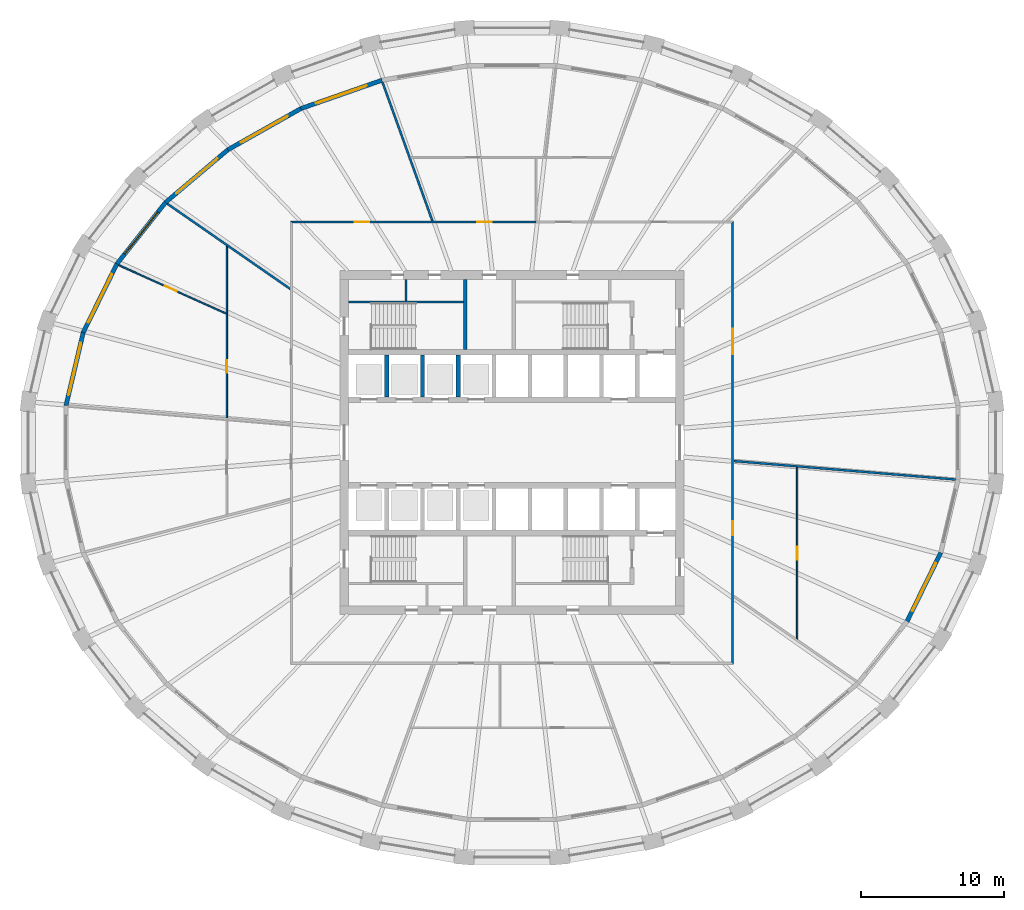
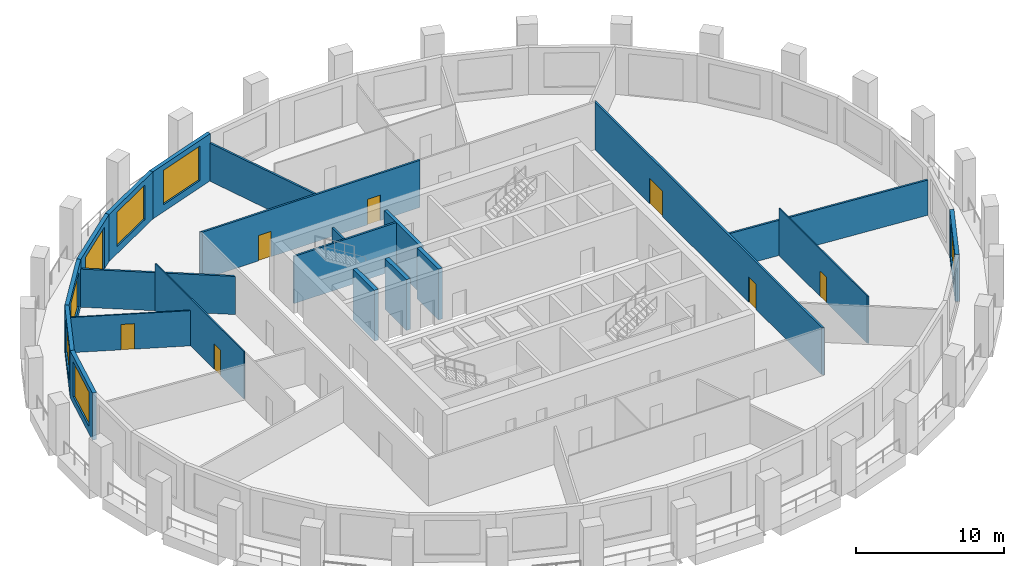
# One storey, part 5 of 10: 21 walls, 8 doors, 6 windows, 14 openings.
"""IFC4 building model written with IfcOpenShell, lengths in metres."""

from ifc_helpers import new_model, si_unit, direction, frame, frame_2d, origin, place, context, subcontext, project, spatial, polyline, rectangle, outline, extrude, material, layer, layer_set, type_object, element, fill, save


model = new_model("IFC4")

# Units and contexts
model_context = context("Model", 3, precision=1e-05, world=origin(), true_north=direction((0.0, 1.0)))
body_context = subcontext(model_context, "Body", "Model", "MODEL_VIEW")
ifc_project = project(units=[si_unit("LENGTHUNIT", "METRE"), si_unit("AREAUNIT", "SQUARE_METRE"), si_unit("VOLUMEUNIT", "CUBIC_METRE"), si_unit("PLANEANGLEUNIT", "RADIAN"), si_unit("MASSUNIT", "GRAM", prefix="KILO")], contexts=[model_context])

# Site, building, storey
site_placement = place(None, origin())
site = spatial("IfcSite", under=ifc_project, at=site_placement, CompositionType="ELEMENT")
building_placement = place(site_placement, origin())
building = spatial("IfcBuilding", under=site, at=building_placement, Name="Halqa Exchange Tower", CompositionType="ELEMENT")
storey_placement = place(building_placement, frame((0.0, 0.0, 154.89990234375)))
storey = spatial("IfcBuildingStorey", under=building, at=storey_placement, Name="L35", CompositionType="ELEMENT", Elevation=154.89990234375)

# Wall
ifc_material_1 = material(Name="Fire-rated gypsum board")
ifc_layer_1 = layer(ifc_material_1, 0.14990234375)
ifc_layer_set_1 = layer_set([ifc_layer_1], Name="Fire-rated gypsum board")
wall_type_1 = type_object("IfcWallType", Name="Fire partition EI 60 150", PredefinedType="PARTITIONING", material=ifc_layer_set_1)
wall_1_placement = place(storey_placement, frame((-24.059326171875, 16.673095703125, 0.0), z_axis=(0.0, 0.0, 1.0), x_axis=(0.821818585553, -0.569749254006, 0.0)))
element("IfcWall", 1, at=wall_1_placement, inside=storey, type_object=wall_type_1, Name="L35-PWL-003", PredefinedType="PARTITIONING", context=body_context, shape_type="SweptSolid", body=[
    extrude(outline(polyline([(0.0, -0.074951171875), (1.723876953125, -0.074951171875), (3.44775390625, -0.074951171875), (5.171630859375, -0.074951171875), (5.173095703125, -0.07373046875), (5.173828125, -0.074951171875), (6.9482421875, -0.074951171875), (8.72265625, -0.074951171875), (10.4970703125, -0.074951171875), (10.4970703125, -0.074462890625), (10.3935546875, 0.074951171875), (8.66552734375, 0.074951171875), (6.9375, 0.074951171875), (5.20947265625, 0.074951171875), (3.4814453125, 0.074951171875), (1.75341796875, 0.074951171875), (0.025146484375, 0.074951171875), (0.00439453125, -0.002197265625), (0.0, -0.071533203125), (0.0, -0.074951171875)])), origin(), (0.0, 0.0, 1.0), 3.147216796875),
])

# Wall, openings, doors
wall_2_placement = place(storey_placement, frame((-15.47509765625, 15.39990234375, 0.0), z_axis=(0.0, 0.0, 1.0), x_axis=(1.0, 0.0, 0.0)))
wall_2 = element("IfcWall", 2, at=wall_2_placement, inside=storey, type_object=wall_type_1, Name="L35-PWL-009", PredefinedType="PARTITIONING", context=body_context, shape_type="SweptSolid", body=[
    extrude(outline(polyline([(17.155029296875, 0.074951171875), (15.2490234375, 0.074951171875), (13.3427734375, 0.074951171875), (11.436767578125, 0.074951171875), (9.53076171875, 0.074951171875), (7.62451171875, 0.074951171875), (5.718505859375, 0.074951171875), (3.8125, 0.074951171875), (1.90625, 0.074951171875), (0.000244140625, 0.074951171875), (0.150146484375, -0.074951171875), (2.03955078125, -0.074951171875), (3.928955078125, -0.074951171875), (5.818359375, -0.074951171875), (7.707763671875, -0.074951171875), (9.597412109375, -0.074951171875), (11.48681640625, -0.074951171875), (13.376220703125, -0.074951171875), (15.265625, -0.074951171875), (17.155029296875, -0.074951171875), (17.155029296875, 0.074951171875)])), origin(), (0.0, 0.0, 1.0), 3.900146484375),
])
opening_1_placement = place(wall_2_placement, frame((13.050048828125, 0.0, 0.0)))
opening_1 = element("IfcOpeningElement", 3, at=opening_1_placement, cuts=wall_2, Name="Opening 11-02", PredefinedType="OPENING", context=body_context, shape_type="SweptSolid", body=[
    extrude(rectangle(XDim=1.0, YDim=2.10009765625, at=frame_2d((0.5, 1.050048828125))), frame((0.0, 0.0869140625, 0.0), z_axis=(0.0, -1.0, 0.0), x_axis=(1.0, 0.0, 0.0)), (0.0, 0.0, 1.0), 0.173828125),
])
opening_2_placement = place(wall_2_placement, frame((4.510009765625, 0.0, 0.0)))
opening_2 = element("IfcOpeningElement", 4, at=opening_2_placement, cuts=wall_2, Name="Opening 11-03", PredefinedType="OPENING", context=body_context, shape_type="SweptSolid", body=[
    extrude(rectangle(XDim=1.0, YDim=2.10009765625, at=frame_2d((0.5, 1.050048828125))), frame((0.0, 0.0869140625, 0.0), z_axis=(0.0, -1.0, 0.0), x_axis=(1.0, 0.0, 0.0)), (0.0, 0.0, 1.0), 0.173828125),
])
ifc_material_2 = material(Name="Steel fire door leaf", Category="steel")
door_type_1 = type_object("IfcDoorType", Name="Fire door FD30S 1000 x 2100", OperationType="SINGLE_SWING_LEFT", PredefinedType="DOOR", material=ifc_material_2)
door_1_placement = place(opening_1_placement, origin())
door_1 = element("IfcDoor", 5, at=door_1_placement, inside=storey, type_object=door_type_1, Name="L35-IDR-002", OperationType="SINGLE_SWING_LEFT", OverallHeight=2.10009765625, OverallWidth=1.0, PredefinedType="DOOR", context=body_context, shape_type="SweptSolid", body=[
    extrude(rectangle(XDim=1.0, YDim=2.10009765625, at=frame_2d((0.5, 1.050048828125))), frame((0.0, 0.02490234375, 0.0), z_axis=(0.0, -1.0, 0.0), x_axis=(1.0, 0.0, 0.0)), (0.0, 0.0, 1.0), 0.050048828125),
])
fill(opening_1, door_1)
door_2_placement = place(opening_2_placement, origin())
door_2 = element("IfcDoor", 6, at=door_2_placement, inside=storey, type_object=door_type_1, Name="L35-IDR-003", OperationType="SINGLE_SWING_LEFT", OverallHeight=2.10009765625, OverallWidth=1.0, PredefinedType="DOOR", context=body_context, shape_type="SweptSolid", body=[
    extrude(rectangle(XDim=1.0, YDim=2.10009765625, at=frame_2d((0.5, 1.050048828125))), frame((0.0, 0.02490234375, 0.0), z_axis=(0.0, -1.0, 0.0), x_axis=(1.0, 0.0, 0.0)), (0.0, 0.0, 1.0), 0.050048828125),
])
fill(opening_2, door_2)

# Wall
wall_3_placement = place(storey_placement, frame((-9.036865234375, 25.143310546875, 0.0), z_axis=(0.0, 0.0, 1.0), x_axis=(0.338668278724, -0.940905838533, 0.0)))
element("IfcWall", 7, at=wall_3_placement, inside=storey, type_object=wall_type_1, Name="L35-PWL-011", PredefinedType="PARTITIONING", context=body_context, shape_type="SweptSolid", body=[
    extrude(outline(polyline([(0.0, -0.074951171875), (1.7080078125, -0.074951171875), (3.416259765625, -0.074951171875), (5.124267578125, -0.074951171875), (6.832275390625, -0.074951171875), (8.54052734375, -0.074951171875), (10.24853515625, -0.074951171875), (10.30029296875, 0.068603515625), (10.30029296875, 0.068603515625), (10.30224609375, 0.07421875), (10.30224609375, 0.074951171875), (8.75244140625, 0.074951171875), (7.20263671875, 0.074951171875), (5.65283203125, 0.074951171875), (5.652587890625, 0.074462890625), (5.651123046875, 0.074951171875), (3.77197265625, 0.074951171875), (1.892822265625, 0.074951171875), (0.013671875, 0.074951171875), (0.00048828125, 0.0029296875), (0.0, -0.054443359375), (0.0, -0.074951171875)])), origin(), (0.0, 0.0, 1.0), 3.147216796875),
])

# Wall, openings, doors
wall_4_placement = place(storey_placement, frame((15.39990234375, -15.47509765625, 0.0), z_axis=(0.0, 0.0, 1.0), x_axis=(0.0, 1.0, 0.0)))
wall_4 = element("IfcWall", 8, at=wall_4_placement, inside=storey, type_object=wall_type_1, Name="L35-PWL-022", PredefinedType="PARTITIONING", context=body_context, shape_type="SweptSolid", body=[
    extrude(outline(polyline([(0.000244140625, -0.074951171875), (1.9345703125, -0.074951171875), (3.868896484375, -0.074951171875), (5.80322265625, -0.074951171875), (7.73779296875, -0.074951171875), (9.672119140625, -0.074951171875), (11.6064453125, -0.074951171875), (13.540771484375, -0.074951171875), (15.47509765625, -0.074951171875), (17.409423828125, -0.074951171875), (19.34375, -0.074951171875), (21.278076171875, -0.074951171875), (23.21240234375, -0.074951171875), (25.14697265625, -0.074951171875), (27.081298828125, -0.074951171875), (29.015625, -0.074951171875), (30.949951171875, -0.074951171875), (30.800048828125, 0.074951171875), (28.884521484375, 0.074951171875), (26.96875, 0.074951171875), (25.05322265625, 0.074951171875), (23.1376953125, 0.074951171875), (21.221923828125, 0.074951171875), (19.306396484375, 0.074951171875), (17.390625, 0.074951171875), (15.47509765625, 0.074951171875), (13.5595703125, 0.074951171875), (11.643798828125, 0.074951171875), (9.728271484375, 0.074951171875), (7.8125, 0.074951171875), (5.89697265625, 0.074951171875), (3.9814453125, 0.074951171875), (2.065673828125, 0.074951171875), (0.150146484375, 0.074951171875), (0.000244140625, -0.074951171875)])), origin(), (0.0, 0.0, 1.0), 3.900146484375),
])
opening_3_placement = place(wall_4_placement, frame((9.0, 0.0, 0.0)))
opening_3 = element("IfcOpeningElement", 9, at=opening_3_placement, cuts=wall_4, Name="Opening 11-10", PredefinedType="OPENING", context=body_context, shape_type="SweptSolid", body=[
    extrude(rectangle(XDim=1.0, YDim=2.10009765625, at=frame_2d((0.5, 1.050048828125))), frame((0.0, 0.0869140625, 0.0), z_axis=(0.0, -1.0, 0.0), x_axis=(1.0, 0.0, 0.0)), (0.0, 0.0, 1.0), 0.173828125),
])
opening_4_placement = place(wall_4_placement, frame((21.635009765625, 0.0, 0.0)))
opening_4 = element("IfcOpeningElement", 10, at=opening_4_placement, cuts=wall_4, Name="Opening 11-11", PredefinedType="OPENING", context=body_context, shape_type="SweptSolid", body=[
    extrude(rectangle(XDim=1.800048828125, YDim=2.10009765625, at=frame_2d((0.89990234375, 1.050048828125))), frame((0.0, 0.0869140625, 0.0), z_axis=(0.0, -1.0, 0.0), x_axis=(1.0, 0.0, 0.0)), (0.0, 0.0, 1.0), 0.173828125),
])
door_3_placement = place(opening_3_placement, frame((1.0, 0.0, 0.0), z_axis=(0.0, 0.0, 1.0), x_axis=(-1.0, 0.0, 0.0)))
door_3 = element("IfcDoor", 11, at=door_3_placement, inside=storey, type_object=door_type_1, Name="L35-IDR-010", OperationType="SINGLE_SWING_LEFT", OverallHeight=2.10009765625, OverallWidth=1.0, PredefinedType="DOOR", context=body_context, shape_type="SweptSolid", body=[
    extrude(rectangle(XDim=1.0, YDim=2.10009765625, at=frame_2d((0.5, 1.050048828125))), frame((0.0, 0.02490234375, 0.0), z_axis=(0.0, -1.0, 0.0), x_axis=(1.0, 0.0, 0.0)), (0.0, 0.0, 1.0), 0.050048828125),
])
fill(opening_3, door_3)
door_type_2 = type_object("IfcDoorType", Name="Fire door FD30S double 1800 x 2100", OperationType="DOUBLE_DOOR_SINGLE_SWING", PredefinedType="DOOR", material=ifc_material_2)
door_4_placement = place(opening_4_placement, frame((1.800048828125, 0.0, 0.0), z_axis=(0.0, 0.0, 1.0), x_axis=(-1.0, 0.0, 0.0)))
door_4 = element("IfcDoor", 12, at=door_4_placement, inside=storey, type_object=door_type_2, Name="L35-IDR-011", OperationType="DOUBLE_DOOR_SINGLE_SWING", OverallHeight=2.10009765625, OverallWidth=1.800048828125, PredefinedType="DOOR", context=body_context, shape_type="SweptSolid", body=[
    extrude(rectangle(XDim=1.800048828125, YDim=2.10009765625, at=frame_2d((0.89990234375, 1.050048828125))), frame((0.0, 0.02490234375, 0.0), z_axis=(0.0, -1.0, 0.0), x_axis=(1.0, 0.0, 0.0)), (0.0, 0.0, 1.0), 0.050048828125),
])
fill(opening_4, door_4)

# Wall
wall_5_placement = place(storey_placement, frame((15.46923828125, -1.285888671875, 0.0), z_axis=(0.0, 0.0, 1.0), x_axis=(0.996560145348, -0.082872653534, 0.0)))
element("IfcWall", 13, at=wall_5_placement, inside=storey, type_object=wall_type_1, Name="L35-PWL-024", PredefinedType="PARTITIONING", context=body_context, shape_type="SweptSolid", body=[
    extrude(outline(polyline([(0.011962890625, -0.074951171875), (1.50390625, -0.074951171875), (2.995849609375, -0.074951171875), (4.48779296875, -0.074951171875), (4.50244140625, -0.07373046875), (4.50244140625, -0.074951171875), (6.3427734375, -0.074951171875), (8.18310546875, -0.074951171875), (10.0234375, -0.074951171875), (11.86376953125, -0.074951171875), (13.7041015625, -0.074951171875), (15.54443359375, -0.074951171875), (15.548828125, -0.045166015625), (15.548828125, 0.074951171875), (13.605224609375, 0.074951171875), (11.66162109375, 0.074951171875), (9.718017578125, 0.074951171875), (7.7744140625, 0.074951171875), (5.830810546875, 0.074951171875), (3.88720703125, 0.074951171875), (1.943603515625, 0.074951171875), (0.0, 0.074951171875), (0.0, 0.069580078125), (0.011962890625, -0.074951171875)])), origin(), (0.0, 0.0, 1.0), 2.91015625),
])

# Wall, opening, door
ifc_material_3 = material(Name="Gypsum board")
ifc_layer_2 = layer(ifc_material_3, 0.10009765625)
ifc_layer_set_2 = layer_set([ifc_layer_2], Name="Gypsum board")
wall_type_2 = type_object("IfcWallType", Name="Partition 100 gypsum", PredefinedType="PARTITIONING", material=ifc_layer_set_2)
wall_6_placement = place(storey_placement, frame((-19.89990234375, 1.7255859375, 0.0), z_axis=(0.0, 0.0, 1.0), x_axis=(0.0, 1.0, 0.0)))
wall_6 = element("IfcWall", 14, at=wall_6_placement, inside=storey, type_object=wall_type_2, Name="L35-PWL-005", PredefinedType="PARTITIONING", context=body_context, shape_type="SweptSolid", body=[
    extrude(outline(polyline([(0.0, -0.050048828125), (1.98974609375, -0.050048828125), (3.979248046875, -0.050048828125), (5.968994140625, -0.050048828125), (7.958740234375, -0.050048828125), (9.948486328125, -0.050048828125), (11.93798828125, -0.050048828125), (12.0068359375, 0.04931640625), (12.0068359375, 0.050048828125), (10.448486328125, 0.050048828125), (8.89013671875, 0.050048828125), (7.331787109375, 0.050048828125), (7.330810546875, 0.0478515625), (7.325927734375, 0.050048828125), (5.49658203125, 0.050048828125), (3.6669921875, 0.050048828125), (1.837646484375, 0.050048828125), (0.008056640625, 0.050048828125), (0.0, -0.046875), (0.0, -0.050048828125)])), origin(), (0.0, 0.0, 1.0), 3.900146484375),
])
opening_5_placement = place(wall_6_placement, frame((3.139404296875, 0.0, 0.0)))
opening_5 = element("IfcOpeningElement", 15, at=opening_5_placement, cuts=wall_6, Name="Opening 11-15", PredefinedType="OPENING", context=body_context, shape_type="SweptSolid", body=[
    extrude(rectangle(XDim=0.89990234375, YDim=2.10009765625, at=frame_2d((0.449951171875, 1.050048828125))), frame((0.0, 0.06201171875, 0.0), z_axis=(0.0, -1.0, 0.0), x_axis=(1.0, 0.0, 0.0)), (0.0, 0.0, 1.0), 0.1240234375),
])
ifc_material_4 = material(Name="Timber door leaf", Category="wood")
door_type_3 = type_object("IfcDoorType", Name="Door 900 x 2100", OperationType="SINGLE_SWING_LEFT", PredefinedType="DOOR", material=ifc_material_4)
door_5_placement = place(opening_5_placement, frame((0.89990234375, 0.0, 0.0), z_axis=(0.0, 0.0, 1.0), x_axis=(-1.0, 0.0, 0.0)))
door_5 = element("IfcDoor", 16, at=door_5_placement, inside=storey, type_object=door_type_3, Name="L35-IDR-015", OperationType="SINGLE_SWING_LEFT", OverallHeight=2.10009765625, OverallWidth=0.89990234375, PredefinedType="DOOR", context=body_context, shape_type="SweptSolid", body=[
    extrude(rectangle(XDim=0.89990234375, YDim=2.10009765625, at=frame_2d((0.449951171875, 1.050048828125))), frame((0.0, 0.02490234375, 0.0), z_axis=(0.0, -1.0, 0.0), x_axis=(1.0, 0.0, 0.0)), (0.0, 0.0, 1.0), 0.050048828125),
])
fill(opening_5, door_5)

wall_7_placement = place(storey_placement, frame((-19.9296875, 8.993408203125, 0.0), z_axis=(0.0, 0.0, 1.0), x_axis=(-0.911442933079, 0.411426518033, 0.0)))
wall_7 = element("IfcWall", 17, at=wall_7_placement, inside=storey, type_object=wall_type_2, Name="L35-PWL-006", PredefinedType="PARTITIONING", context=body_context, shape_type="SweptSolid", body=[
    extrude(outline(polyline([(0.044921875, -0.050048828125), (1.682861328125, -0.050048828125), (3.320556640625, -0.050048828125), (4.95849609375, -0.050048828125), (6.596435546875, -0.050048828125), (8.234130859375, -0.050048828125), (8.246826171875, 0.00048828125), (8.248291015625, 0.045654296875), (8.248291015625, 0.050048828125), (6.5986328125, 0.050048828125), (4.948974609375, 0.050048828125), (3.29931640625, 0.050048828125), (1.649658203125, 0.050048828125), (0.0, 0.050048828125), (0.0, 0.04931640625), (0.044921875, -0.050048828125)])), origin(), (0.0, 0.0, 1.0), 2.91015625),
])
opening_6_placement = place(wall_7_placement, frame((3.807373046875, 0.0, 0.0)))
opening_6 = element("IfcOpeningElement", 18, at=opening_6_placement, cuts=wall_7, Name="Opening 11-16", PredefinedType="OPENING", context=body_context, shape_type="SweptSolid", body=[
    extrude(rectangle(XDim=0.89990234375, YDim=2.10009765625, at=frame_2d((0.449951171875, 1.050048828125))), frame((0.0, 0.06201171875, 0.0), z_axis=(0.0, -1.0, 0.0), x_axis=(1.0, 0.0, 0.0)), (0.0, 0.0, 1.0), 0.1240234375),
])
door_6_placement = place(opening_6_placement, frame((0.89990234375, 0.0, 0.0), z_axis=(0.0, 0.0, 1.0), x_axis=(-1.0, 0.0, 0.0)))
door_6 = element("IfcDoor", 19, at=door_6_placement, inside=storey, type_object=door_type_3, Name="L35-IDR-016", OperationType="SINGLE_SWING_RIGHT", OverallHeight=2.10009765625, OverallWidth=0.89990234375, PredefinedType="DOOR", context=body_context, shape_type="SweptSolid", body=[
    extrude(rectangle(XDim=0.89990234375, YDim=2.10009765625, at=frame_2d((0.449951171875, 1.050048828125))), frame((0.0, 0.02490234375, 0.0), z_axis=(0.0, -1.0, 0.0), x_axis=(1.0, 0.0, 0.0)), (0.0, 0.0, 1.0), 0.050048828125),
])
fill(opening_6, door_6)

wall_8_placement = place(storey_placement, frame((19.89990234375, -1.7255859375, 0.0), z_axis=(0.0, 0.0, 1.0), x_axis=(0.0, -1.0, 0.0)))
wall_8 = element("IfcWall", 20, at=wall_8_placement, inside=storey, type_object=wall_type_2, Name="L35-PWL-025", PredefinedType="PARTITIONING", context=body_context, shape_type="SweptSolid", body=[
    extrude(outline(polyline([(0.0, -0.050048828125), (1.98974609375, -0.050048828125), (3.979248046875, -0.050048828125), (5.968994140625, -0.050048828125), (7.958740234375, -0.050048828125), (9.948486328125, -0.050048828125), (11.93798828125, -0.050048828125), (12.0068359375, 0.04931640625), (12.0068359375, 0.050048828125), (10.007080078125, 0.050048828125), (8.00732421875, 0.050048828125), (6.00732421875, 0.050048828125), (4.007568359375, 0.050048828125), (2.0078125, 0.050048828125), (0.008056640625, 0.050048828125), (0.0, -0.046875), (0.0, -0.050048828125)])), origin(), (0.0, 0.0, 1.0), 3.900146484375),
])
opening_7_placement = place(wall_8_placement, frame((5.54443359375, 0.0, 0.0)))
opening_7 = element("IfcOpeningElement", 21, at=opening_7_placement, cuts=wall_8, Name="Opening 11-19", PredefinedType="OPENING", context=body_context, shape_type="SweptSolid", body=[
    extrude(rectangle(XDim=0.89990234375, YDim=2.10009765625, at=frame_2d((0.449951171875, 1.050048828125))), frame((0.0, 0.06201171875, 0.0), z_axis=(0.0, -1.0, 0.0), x_axis=(1.0, 0.0, 0.0)), (0.0, 0.0, 1.0), 0.1240234375),
])
door_7_placement = place(opening_7_placement, frame((0.89990234375, 0.0, 0.0), z_axis=(0.0, 0.0, 1.0), x_axis=(-1.0, 0.0, 0.0)))
door_7 = element("IfcDoor", 22, at=door_7_placement, inside=storey, type_object=door_type_3, Name="L35-IDR-019", OperationType="SINGLE_SWING_LEFT", OverallHeight=2.10009765625, OverallWidth=0.89990234375, PredefinedType="DOOR", context=body_context, shape_type="SweptSolid", body=[
    extrude(rectangle(XDim=0.89990234375, YDim=2.10009765625, at=frame_2d((0.449951171875, 1.050048828125))), frame((0.0, 0.02490234375, 0.0), z_axis=(0.0, -1.0, 0.0), x_axis=(1.0, 0.0, 0.0)), (0.0, 0.0, 1.0), 0.050048828125),
])
fill(opening_7, door_7)

# Walls
ifc_layer_3 = layer(ifc_material_3, 0.14990234375)
ifc_layer_set_3 = layer_set([ifc_layer_3], Name="Gypsum board")
wall_type_3 = type_object("IfcWallType", Name="Penthouse riser wall 150 gypsum", PredefinedType="PARTITIONING", material=ifc_layer_set_3)
wall_9_placement = place(storey_placement, frame((-7.39990234375, 9.89990234375, 0.0), z_axis=(0.0, 0.0, 1.0), x_axis=(0.0, 1.0, 0.0)))
element("IfcWall", 23, at=wall_9_placement, inside=storey, type_object=wall_type_3, Name="Partition W7.400 N", PredefinedType="PARTITIONING", context=body_context, shape_type="SweptSolid", body=[
    extrude(rectangle(XDim=1.5, YDim=0.14990234375, at=frame_2d((0.75, 0.0))), origin(), (0.0, 0.0, 1.0), 3.900146484375),
])
ifc_material_5 = material(Name="Concrete C60/75", Category="concrete")
ifc_layer_4 = layer(ifc_material_5, 0.300048828125)
ifc_layer_set_4 = layer_set([ifc_layer_4], Name="Concrete C60/75")
wall_type_4 = type_object("IfcWallType", Name="RC core wall 300", PredefinedType="SHEAR", material=ifc_layer_set_4)
for number, where, z_axis, x_axis, name in (
    (24, (-8.75, 3.199951171875, 0.0), (0.0, 0.0, 1.0), (0.0, 1.0, 0.0), "Shaft divider N1"),
    (25, (-6.25, 3.199951171875, 0.0), (0.0, 0.0, 1.0), (0.0, 1.0, 0.0), "Shaft divider N2"),
    (26, (-3.75, 3.199951171875, 0.0), (0.0, 0.0, 1.0), (0.0, 1.0, 0.0), "Shaft divider N3"),
):
    element("IfcWall", number, at=place(storey_placement, frame(where, z_axis=z_axis, x_axis=x_axis)), inside=storey, type_object=wall_type_4, Name=name, PredefinedType="SHEAR", context=body_context, shape_type="SweptSolid", body=[
        extrude(rectangle(XDim=2.900146484375, YDim=0.300048828125, at=frame_2d((1.4501953125, 0.0))), origin(), (0.0, 0.0, 1.0), 4.2001953125),
    ])
ifc_material_6 = material(Name="Concrete C30/37", Category="concrete")
ifc_layer_5 = layer(ifc_material_6, 0.14990234375)
ifc_layer_set_5 = layer_set([ifc_layer_5], Name="Concrete C30/37")
wall_type_5 = type_object("IfcWallType", Name="RC stair wall 150 C30/37", PredefinedType="SHEAR", material=ifc_layer_set_5)
wall_10_placement = place(storey_placement, frame((-11.39990234375, 9.824951171875, 0.0), z_axis=(0.0, 0.0, 1.0), x_axis=(1.0, 0.0, 0.0)))
element("IfcWall", 27, at=wall_10_placement, inside=storey, type_object=wall_type_5, Name="Stair ST1 north wall N", PredefinedType="SHEAR", context=body_context, shape_type="SweptSolid", body=[
    extrude(rectangle(XDim=8.0, YDim=0.14990234375, at=frame_2d((4.0, 0.0))), origin(), (0.0, 0.0, 1.0), 3.900146484375),
])
ifc_layer_6 = layer(ifc_material_6, 0.25)
ifc_layer_set_6 = layer_set([ifc_layer_6], Name="Concrete C30/37")
wall_type_6 = type_object("IfcWallType", Name="RC stair wall 250 C30/37", PredefinedType="SHEAR", material=ifc_layer_set_6)
wall_11_placement = place(storey_placement, frame((-3.27490234375, 6.5, 0.0), z_axis=(0.0, 0.0, 1.0), x_axis=(0.0, 1.0, 0.0)))
element("IfcWall", 28, at=wall_11_placement, inside=storey, type_object=wall_type_6, Name="Stair ST1 east wall N", PredefinedType="SHEAR", context=body_context, shape_type="SweptSolid", body=[
    extrude(rectangle(XDim=4.89990234375, YDim=0.25, at=frame_2d((2.449951171875, 0.0))), origin(), (0.0, 0.0, 1.0), 3.900146484375),
])

# Wall, opening, window
ifc_material_7 = material(Name="Limestone cladding", Category="masonry")
ifc_layer_7 = layer(ifc_material_7, 0.0400390625)
ifc_material_8 = material(Name="Ventilated cavity")
ifc_layer_8 = layer(ifc_material_8, 0.030029296875, ventilated=True)
ifc_material_9 = material(Name="Mineral wool insulation")
ifc_layer_9 = layer(ifc_material_9, 0.10009765625)
ifc_layer_10 = layer(ifc_material_6, 0.10009765625)
ifc_material_10 = material(Name="Internal plaster")
ifc_layer_11 = layer(ifc_material_10, 0.030029296875)
ifc_layer_set_7 = layer_set([ifc_layer_7, ifc_layer_8, ifc_layer_9, ifc_layer_10, ifc_layer_11], Name="Stone-faced insulated wall 300")
wall_type_7 = type_object("IfcWallType", Name="Stone-faced insulated wall 300", PredefinedType="STANDARD", material=ifc_layer_set_7)
wall_12_placement = place(storey_placement, frame((-9.0712890625, 25.28955078125, 0.0), z_axis=(0.0, 0.0, 1.0), x_axis=(-0.943944636678, -0.330103806228, 0.0)))
wall_12 = element("IfcWall", 29, at=wall_12_placement, inside=storey, type_object=wall_type_7, Name="Glass-line wall 10", PredefinedType="STANDARD", context=body_context, shape_type="SweptSolid", body=[
    extrude(outline(polyline([(-0.0126953125, -0.14990234375), (6.0107421875, -0.14990234375), (5.98388671875, 0.14990234375), (0.0126953125, 0.14990234375), (-0.0126953125, -0.14990234375)])), origin(), (0.0, 0.0, 1.0), 3.900146484375),
])
opening_8_placement = place(wall_12_placement, frame((1.12353515625, 0.0, 0.60009765625)))
opening_8 = element("IfcOpeningElement", 30, at=opening_8_placement, cuts=wall_12, Name="Opening W-F2-10", PredefinedType="OPENING", context=body_context, shape_type="SweptSolid", body=[
    extrude(rectangle(XDim=3.75, YDim=2.85009765625, at=frame_2d((1.875, 1.425048828125))), frame((0.0, 0.162109375, 0.0), z_axis=(0.0, -1.0, 0.0), x_axis=(1.0, 0.0, 0.0)), (0.0, 0.0, 1.0), 0.323974609375),
])
ifc_material_11 = material(Name="Clear low-emissivity glass in aluminium frame", Category="aluminium")
window_type = type_object("IfcWindowType", Name="Fixed clear glazed window 3750 x 2850", PartitioningType="TRIPLE_PANEL_VERTICAL", PredefinedType="WINDOW", material=ifc_material_11)
window_1_placement = place(opening_8_placement, origin())
window_1 = element("IfcWindow", 31, at=window_1_placement, inside=storey, type_object=window_type, Name="Window 2", OverallHeight=2.85009765625, OverallWidth=3.75, PartitioningType="TRIPLE_PANEL_VERTICAL", PredefinedType="WINDOW", context=body_context, shape_type="SweptSolid", body=[
    extrude(rectangle(XDim=3.75, YDim=2.85009765625, at=frame_2d((1.875, 1.425048828125))), frame((0.0, 0.030029296875, 0.0), z_axis=(0.0, -1.0, 0.0), x_axis=(1.0, 0.0, 0.0)), (0.0, 0.0, 1.0), 0.06005859375),
])
fill(opening_8, window_1)

wall_13_placement = place(storey_placement, frame((-14.732421875, 23.309814453125, 0.0), z_axis=(0.0, 0.0, 1.0), x_axis=(-0.870982130072, -0.491314694565, 0.0)))
wall_13 = element("IfcWall", 32, at=wall_13_placement, inside=storey, type_object=wall_type_7, Name="Glass-line wall 11", PredefinedType="STANDARD", context=body_context, shape_type="SweptSolid", body=[
    extrude(outline(polyline([(-0.013427734375, -0.14990234375), (5.86572265625, -0.14990234375), (5.83740234375, 0.14990234375), (0.013427734375, 0.14990234375), (-0.013427734375, -0.14990234375)])), origin(), (0.0, 0.0, 1.0), 3.900146484375),
])
opening_9_placement = place(wall_13_placement, frame((1.05078125, 0.0, 0.60009765625)))
opening_9 = element("IfcOpeningElement", 33, at=opening_9_placement, cuts=wall_13, Name="Opening W-F2-11", PredefinedType="OPENING", context=body_context, shape_type="SweptSolid", body=[
    extrude(rectangle(XDim=3.75, YDim=2.85009765625, at=frame_2d((1.875, 1.425048828125))), frame((0.0, 0.162109375, 0.0), z_axis=(0.0, -1.0, 0.0), x_axis=(1.0, 0.0, 0.0)), (0.0, 0.0, 1.0), 0.323974609375),
])
window_2_placement = place(opening_9_placement, origin())
window_2 = element("IfcWindow", 34, at=window_2_placement, inside=storey, type_object=window_type, Name="Window 2", OverallHeight=2.85009765625, OverallWidth=3.75, PartitioningType="TRIPLE_PANEL_VERTICAL", PredefinedType="WINDOW", context=body_context, shape_type="SweptSolid", body=[
    extrude(rectangle(XDim=3.75, YDim=2.85009765625, at=frame_2d((1.875, 1.425048828125))), frame((0.0, 0.030029296875, 0.0), z_axis=(0.0, -1.0, 0.0), x_axis=(1.0, 0.0, 0.0)), (0.0, 0.0, 1.0), 0.06005859375),
])
fill(opening_9, window_2)

# Wall, opening, door
wall_14_placement = place(storey_placement, frame((-19.8291015625, 20.434814453125, 0.0), z_axis=(0.0, 0.0, 1.0), x_axis=(-0.764076096085, -0.645126126732, 0.0)))
wall_14 = element("IfcWall", 35, at=wall_14_placement, inside=storey, type_object=wall_type_7, Name="Glass-line wall 12", PredefinedType="STANDARD", context=body_context, shape_type="SweptSolid", body=[
    extrude(outline(polyline([(-0.01416015625, -0.14990234375), (5.690185546875, -0.14990234375), (5.659912109375, 0.14990234375), (0.01416015625, 0.14990234375), (-0.01416015625, -0.14990234375)])), origin(), (0.0, 0.0, 1.0), 3.900146484375),
])
opening_10_placement = place(wall_14_placement, frame((0.96240234375, 0.0, 0.0)))
opening_10 = element("IfcOpeningElement", 36, at=opening_10_placement, cuts=wall_14, Name="Opening LG-F2-03", PredefinedType="OPENING", context=body_context, shape_type="SweptSolid", body=[
    extrude(rectangle(XDim=3.75, YDim=3.449951171875, at=frame_2d((1.875, 1.72509765625))), frame((0.0, 0.162109375, 0.0), z_axis=(0.0, -1.0, 0.0), x_axis=(1.0, 0.0, 0.0)), (0.0, 0.0, 1.0), 0.323974609375),
])
door_type_4 = type_object("IfcDoorType", Name="Glazed sliding loggia door 3750 x 3450", OperationType="DOUBLE_DOOR_SLIDING", PredefinedType="DOOR", material=ifc_material_11)
door_8_placement = place(opening_10_placement, origin())
door_8 = element("IfcDoor", 37, at=door_8_placement, inside=storey, type_object=door_type_4, Name="Loggia door 3", OperationType="DOUBLE_DOOR_SLIDING", OverallHeight=3.449951171875, OverallWidth=3.75, PredefinedType="DOOR", context=body_context, shape_type="SweptSolid", body=[
    extrude(rectangle(XDim=3.75, YDim=3.449951171875, at=frame_2d((1.875, 1.72509765625))), frame((0.0, 0.02490234375, 0.0), z_axis=(0.0, -1.0, 0.0), x_axis=(1.0, 0.0, 0.0)), (0.0, 0.0, 1.0), 0.050048828125),
])
fill(opening_10, door_8)

# Wall, opening, window
wall_15_placement = place(storey_placement, frame((-24.165283203125, 16.773681640625, 0.0), z_axis=(0.0, 0.0, 1.0), x_axis=(-0.620577705153, -0.784144955902, 0.0)))
wall_15 = element("IfcWall", 38, at=wall_15_placement, inside=storey, type_object=wall_type_7, Name="Glass-line wall 13", PredefinedType="STANDARD", context=body_context, shape_type="SweptSolid", body=[
    extrude(outline(polyline([(-0.01513671875, -0.14990234375), (5.5087890625, -0.14990234375), (5.4765625, 0.14990234375), (0.01513671875, 0.14990234375), (-0.01513671875, -0.14990234375)])), origin(), (0.0, 0.0, 1.0), 3.900146484375),
])
opening_11_placement = place(wall_15_placement, frame((0.871337890625, 0.0, 0.60009765625)))
opening_11 = element("IfcOpeningElement", 39, at=opening_11_placement, cuts=wall_15, Name="Opening W-F2-13", PredefinedType="OPENING", context=body_context, shape_type="SweptSolid", body=[
    extrude(rectangle(XDim=3.75, YDim=2.85009765625, at=frame_2d((1.875, 1.425048828125))), frame((0.0, 0.162109375, 0.0), z_axis=(0.0, -1.0, 0.0), x_axis=(1.0, 0.0, 0.0)), (0.0, 0.0, 1.0), 0.323974609375),
])
window_3_placement = place(opening_11_placement, origin())
window_3 = element("IfcWindow", 40, at=window_3_placement, inside=storey, type_object=window_type, Name="Window 2", OverallHeight=2.85009765625, OverallWidth=3.75, PartitioningType="TRIPLE_PANEL_VERTICAL", PredefinedType="WINDOW", context=body_context, shape_type="SweptSolid", body=[
    extrude(rectangle(XDim=3.75, YDim=2.85009765625, at=frame_2d((1.875, 1.425048828125))), frame((0.0, 0.030029296875, 0.0), z_axis=(0.0, -1.0, 0.0), x_axis=(1.0, 0.0, 0.0)), (0.0, 0.0, 1.0), 0.06005859375),
])
fill(opening_11, window_3)

wall_16_placement = place(storey_placement, frame((-27.573974609375, 12.466552734375, 0.0), z_axis=(0.0, 0.0, 1.0), x_axis=(-0.440444485575, -0.897779847806, 0.0)))
wall_16 = element("IfcWall", 41, at=wall_16_placement, inside=storey, type_object=wall_type_7, Name="Glass-line wall 14", PredefinedType="STANDARD", context=body_context, shape_type="SweptSolid", body=[
    extrude(outline(polyline([(-0.01611328125, -0.14990234375), (5.350341796875, -0.14990234375), (5.316650390625, 0.14990234375), (0.01611328125, 0.14990234375), (-0.01611328125, -0.14990234375)])), origin(), (0.0, 0.0, 1.0), 3.900146484375),
])
opening_12_placement = place(wall_16_placement, frame((0.791748046875, 0.0, 0.60009765625)))
opening_12 = element("IfcOpeningElement", 42, at=opening_12_placement, cuts=wall_16, Name="Opening W-F2-14", PredefinedType="OPENING", context=body_context, shape_type="SweptSolid", body=[
    extrude(rectangle(XDim=3.75, YDim=2.85009765625, at=frame_2d((1.875, 1.425048828125))), frame((0.0, 0.162109375, 0.0), z_axis=(0.0, -1.0, 0.0), x_axis=(1.0, 0.0, 0.0)), (0.0, 0.0, 1.0), 0.323974609375),
])
window_4_placement = place(opening_12_placement, origin())
window_4 = element("IfcWindow", 43, at=window_4_placement, inside=storey, type_object=window_type, Name="Window 2", OverallHeight=2.85009765625, OverallWidth=3.75, PartitioningType="TRIPLE_PANEL_VERTICAL", PredefinedType="WINDOW", context=body_context, shape_type="SweptSolid", body=[
    extrude(rectangle(XDim=3.75, YDim=2.85009765625, at=frame_2d((1.875, 1.425048828125))), frame((0.0, 0.030029296875, 0.0), z_axis=(0.0, -1.0, 0.0), x_axis=(1.0, 0.0, 0.0)), (0.0, 0.0, 1.0), 0.06005859375),
])
fill(opening_12, window_4)

wall_17_placement = place(storey_placement, frame((-29.923095703125, 7.67822265625, 0.0), z_axis=(0.0, 0.0, 1.0), x_axis=(-0.229297175564, -0.973356463624, 0.0)))
wall_17 = element("IfcWall", 44, at=wall_17_placement, inside=storey, type_object=wall_type_7, Name="Glass-line wall 15", PredefinedType="STANDARD", context=body_context, shape_type="SweptSolid", body=[
    extrude(outline(polyline([(-0.016845703125, -0.14990234375), (5.241943359375, -0.14990234375), (5.207275390625, 0.14990234375), (0.016845703125, 0.14990234375), (-0.016845703125, -0.14990234375)])), origin(), (0.0, 0.0, 1.0), 3.900146484375),
])
opening_13_placement = place(wall_17_placement, frame((0.7373046875, 0.0, 0.60009765625)))
opening_13 = element("IfcOpeningElement", 45, at=opening_13_placement, cuts=wall_17, Name="Opening W-F2-15", PredefinedType="OPENING", context=body_context, shape_type="SweptSolid", body=[
    extrude(rectangle(XDim=3.75, YDim=2.85009765625, at=frame_2d((1.875, 1.425048828125))), frame((0.0, 0.162109375, 0.0), z_axis=(0.0, -1.0, 0.0), x_axis=(1.0, 0.0, 0.0)), (0.0, 0.0, 1.0), 0.323974609375),
])
window_5_placement = place(opening_13_placement, origin())
window_5 = element("IfcWindow", 46, at=window_5_placement, inside=storey, type_object=window_type, Name="Window 2", OverallHeight=2.85009765625, OverallWidth=3.75, PartitioningType="TRIPLE_PANEL_VERTICAL", PredefinedType="WINDOW", context=body_context, shape_type="SweptSolid", body=[
    extrude(rectangle(XDim=3.75, YDim=2.85009765625, at=frame_2d((1.875, 1.425048828125))), frame((0.0, 0.030029296875, 0.0), z_axis=(0.0, -1.0, 0.0), x_axis=(1.0, 0.0, 0.0)), (0.0, 0.0, 1.0), 0.06005859375),
])
fill(opening_13, window_5)

wall_18_placement = place(storey_placement, frame((27.573974609375, -12.466552734375, 0.0), z_axis=(0.0, 0.0, 1.0), x_axis=(0.440444485575, 0.897779847806, 0.0)))
wall_18 = element("IfcWall", 47, at=wall_18_placement, inside=storey, type_object=wall_type_7, Name="Glass-line wall 30", PredefinedType="STANDARD", context=body_context, shape_type="SweptSolid", body=[
    extrude(outline(polyline([(-0.01611328125, -0.14990234375), (5.350341796875, -0.14990234375), (5.316650390625, 0.14990234375), (0.01611328125, 0.14990234375), (-0.01611328125, -0.14990234375)])), origin(), (0.0, 0.0, 1.0), 3.900146484375),
])
opening_14_placement = place(wall_18_placement, frame((0.791748046875, 0.0, 0.60009765625)))
opening_14 = element("IfcOpeningElement", 48, at=opening_14_placement, cuts=wall_18, Name="Opening W-F2-30", PredefinedType="OPENING", context=body_context, shape_type="SweptSolid", body=[
    extrude(rectangle(XDim=3.75, YDim=2.85009765625, at=frame_2d((1.875, 1.425048828125))), frame((0.0, 0.162109375, 0.0), z_axis=(0.0, -1.0, 0.0), x_axis=(1.0, 0.0, 0.0)), (0.0, 0.0, 1.0), 0.323974609375),
])
window_6_placement = place(opening_14_placement, origin())
window_6 = element("IfcWindow", 49, at=window_6_placement, inside=storey, type_object=window_type, Name="Window 2", OverallHeight=2.85009765625, OverallWidth=3.75, PartitioningType="TRIPLE_PANEL_VERTICAL", PredefinedType="WINDOW", context=body_context, shape_type="SweptSolid", body=[
    extrude(rectangle(XDim=3.75, YDim=2.85009765625, at=frame_2d((1.875, 1.425048828125))), frame((0.0, 0.030029296875, 0.0), z_axis=(0.0, -1.0, 0.0), x_axis=(1.0, 0.0, 0.0)), (0.0, 0.0, 1.0), 0.06005859375),
])
fill(opening_14, window_6)

save(model, "model.ifc")
